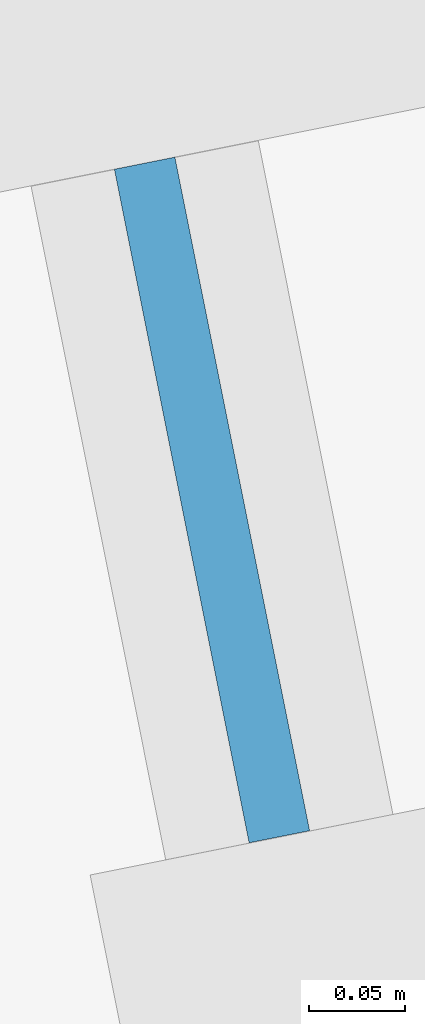
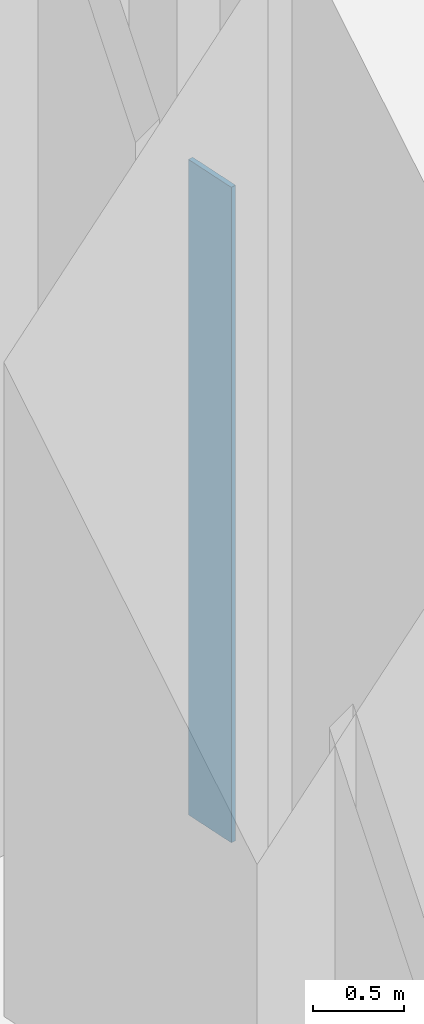
# One storey, part 13 of 20: 1 plate, 1 element without a shape of its own.
"""IFC4 building model written with IfcOpenShell, lengths in metres."""

from ifc_helpers import new_model, si_unit, direction, frame, origin, origin_2d, place, context, subcontext, project, spatial, rectangle, extrude, material, layer, layer_set, type_object, element, aggregate, save


model = new_model("IFC4")

# Units and contexts
model_context = context("Model", 3, precision=1e-05, world=origin(), true_north=direction((0.0, 1.0)))
body_context = subcontext(model_context, "Body", "Model", "MODEL_VIEW")
ifc_project = project(units=[si_unit("LENGTHUNIT", "METRE"), si_unit("AREAUNIT", "SQUARE_METRE"), si_unit("VOLUMEUNIT", "CUBIC_METRE"), si_unit("PLANEANGLEUNIT", "RADIAN"), si_unit("MASSUNIT", "GRAM", prefix="KILO")], contexts=[model_context])

# Site, building, storey
site_placement = place(None, origin())
site = spatial("IfcSite", under=ifc_project, at=site_placement, CompositionType="ELEMENT")
building_placement = place(site_placement, origin())
building = spatial("IfcBuilding", under=site, at=building_placement, Name="Isbrekke Arena Tower", CompositionType="ELEMENT")
storey_placement = place(building_placement, frame((0.0, 0.0, 19.0)))
storey = spatial("IfcBuildingStorey", under=building, at=storey_placement, Name="L03", CompositionType="ELEMENT", Elevation=19.0)

# Curtain wall, plate
ifc_material_1 = material(Name="Glazed aluminium curtain wall", Category="aluminium")
curtain_wall_type = type_object("IfcCurtainWallType", Name="CWR PLANT LOUVRE WALL", PredefinedType="USERDEFINED", material=ifc_material_1)
curtain_wall_placement = place(storey_placement, origin())
curtain_wall = element("IfcCurtainWall", 1, at=curtain_wall_placement, inside=storey, type_object=curtain_wall_type, Name="CWR curtain wall L03-E15", ObjectType="PLANT LOUVRE WALL", PredefinedType="USERDEFINED")
ifc_material_2 = material(Name="Aluminium louvre", Category="aluminium")
ifc_layer = layer(ifc_material_2, 0.031982421875)
ifc_layer_set = layer_set([ifc_layer], Name="CWR-P LOUVRE PANEL")
plate_type = type_object("IfcPlateType", Name="CWR-P LOUVRE PANEL", PredefinedType="CURTAIN_PANEL", material=ifc_layer_set)
plate_placement = place(storey_placement, frame((24.827880859375, 23.6259765625, 0.02001953125), z_axis=(0.0, 0.0, 1.0), x_axis=(-0.196116135138, 0.980580675691, 0.0)))
plate = element("IfcPlate", 2, at=plate_placement, type_object=plate_type, Name="CWR-P panel 1", PredefinedType="CURTAIN_PANEL", context=body_context, shape_type="SweptSolid", body=[
    extrude(rectangle(XDim=0.356201171875, YDim=0.031982421875, at=origin_2d()), origin(), (0.0, 0.0, 1.0), 4.3798828125),
])
aggregate(curtain_wall, [plate])

save(model, "model.ifc")
